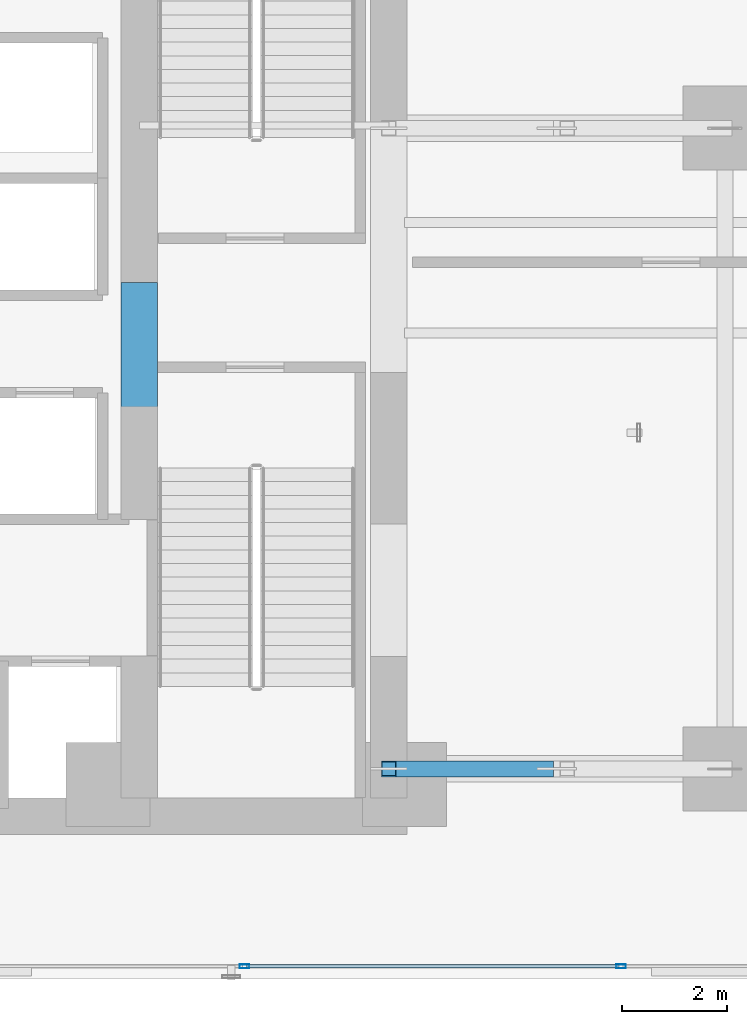
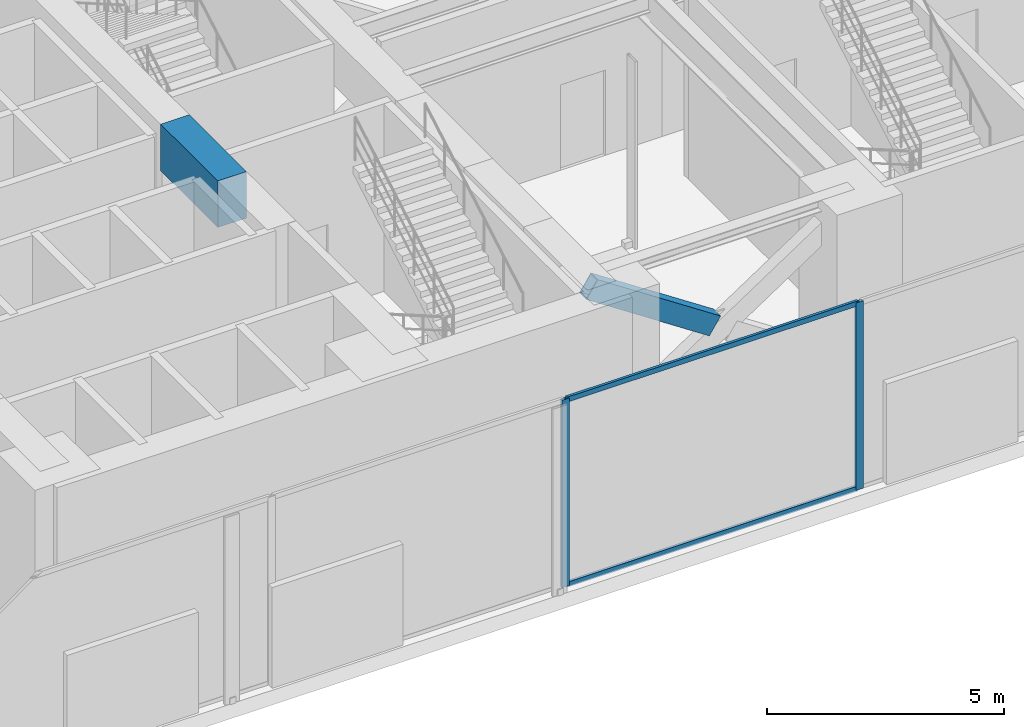
# One storey, part 5 of 36: 5 members, 1 beam, 1 element without a shape of its own.
"""IFC4 building model written with IfcOpenShell, lengths in metres."""

import ifcopenshell
import ifcopenshell.guid

model = None  # the IFC model being written
_history = None  # IfcOwnerHistory: only IFC2X3 demands one
_inside = {}  # id of a spatial element -> (the spatial element, [elements in it])
_under = {}  # id of a project, library or spatial element -> (it, [spatial elements below it])
_declared = {}  # id of a project -> (the project, [libraries it declares])
_typed = {}  # id of a type object -> (the type object, [elements of that type])
_made_of = {}  # id of a material, layer set ... -> (it, [elements and type objects made of it])


def new_model(schema):
    """Start an empty IFC model of exactly this schema.

    Asked for "IFC4X3", IfcOpenShell would pick the latest addendum, in which some entities
    have other attributes; the version numbers below select the first issue.
    IFC2X3 requires an IfcOwnerHistory on every rooted entity: one is made here for all.
    """
    global model, _history
    if schema == "IFC4X3":
        model = ifcopenshell.file(schema_version=(4, 3, 0, 0))
    else:
        model = ifcopenshell.file(schema=schema)
    _inside.clear()
    _under.clear()
    _declared.clear()
    _typed.clear()
    _made_of.clear()
    _history = None
    if model.schema == "IFC2X3":
        org = make("IfcOrganization", Name="unknown")
        user = make(
            "IfcPersonAndOrganization",
            ThePerson=make("IfcPerson", FamilyName="unknown"),
            TheOrganization=org,
        )
        app = make(
            "IfcApplication",
            ApplicationDeveloper=org,
            Version="unknown",
            ApplicationFullName="unknown",
            ApplicationIdentifier="unknown",
        )
        _history = make(
            "IfcOwnerHistory",
            OwningUser=user,
            OwningApplication=app,
            ChangeAction="ADDED",
            CreationDate=0,
        )
    return model


def make(cls, **values):
    """One entity of the class cls with the attributes given. An attribute that is None is left unset."""
    return model.create_entity(
        cls, **{name: value for name, value in values.items() if value is not None}
    )


def rooted(cls, **values):
    """An entity with a GlobalId (a new one), such as an element, a storey or a relation."""
    return make(cls, GlobalId=ifcopenshell.guid.new(), OwnerHistory=_history, **values)


def si_unit(unit_type, name, prefix=None):
    """IfcSIUnit, for example si_unit("LENGTHUNIT", "METRE", prefix="MILLI")."""
    return make("IfcSIUnit", UnitType=unit_type, Prefix=prefix, Name=name)


def assignment(units):
    """IfcUnitAssignment: the units of a project."""
    return None if units is None else make("IfcUnitAssignment", Units=units)


def point(xyz):
    """IfcCartesianPoint."""
    return None if xyz is None else make("IfcCartesianPoint", Coordinates=xyz)


def direction(xyz):
    """IfcDirection."""
    return None if xyz is None else make("IfcDirection", DirectionRatios=xyz)


def frame(location, z_axis=None, x_axis=None):
    """IfcAxis2Placement3D, a coordinate frame: its origin and axes. An axis left out is left unset."""
    return make(
        "IfcAxis2Placement3D",
        Location=point(location),
        Axis=direction(z_axis),
        RefDirection=direction(x_axis),
    )


def frame_2d(location, x_axis=None):
    """IfcAxis2Placement2D, a coordinate frame in the plane: its origin and x axis."""
    return make(
        "IfcAxis2Placement2D", Location=point(location), RefDirection=direction(x_axis)
    )


def origin():
    """The frame at (0, 0, 0) with its axes left unset."""
    return frame((0.0, 0.0, 0.0))


def origin_with_axes():
    """The frame at (0, 0, 0) with the z axis (0, 0, 1) and the x axis (1, 0, 0) written out."""
    return frame((0.0, 0.0, 0.0), z_axis=(0.0, 0.0, 1.0), x_axis=(1.0, 0.0, 0.0))


def origin_2d():
    """The frame at (0, 0) in the plane with its x axis left unset."""
    return frame_2d((0.0, 0.0))


def place(relative_to, where):
    """IfcLocalPlacement: puts the frame where relative to a parent placement (None: the world)."""
    return make(
        "IfcLocalPlacement", PlacementRelTo=relative_to, RelativePlacement=where
    )


def context(
    kind, dimensions, precision=None, world=None, true_north=None, identifier=None
):
    """IfcGeometricRepresentationContext, for example the 3D "Model" context."""
    return make(
        "IfcGeometricRepresentationContext",
        ContextIdentifier=identifier,
        ContextType=kind,
        CoordinateSpaceDimension=dimensions,
        Precision=precision,
        WorldCoordinateSystem=world,
        TrueNorth=true_north,
    )


def subcontext(parent, identifier, kind, view, scale=None):
    """IfcGeometricRepresentationSubContext, for example "Body" below "Model"."""
    return make(
        "IfcGeometricRepresentationSubContext",
        ContextIdentifier=identifier,
        ContextType=kind,
        ParentContext=parent,
        TargetScale=scale,
        TargetView=view,
    )


def project(units=None, contexts=None):
    """IfcProject with its units and contexts."""
    return rooted(
        "IfcProject",
        Name="project",
        RepresentationContexts=contexts,
        UnitsInContext=assignment(units),
    )


def spatial(cls, under=None, at=None, **own):
    """A site, building, storey or space (cls), placed at a placement, below another one or the project."""
    s = rooted(cls, ObjectPlacement=at, **own)
    if under is not None:
        _under.setdefault(under.id(), (under, []))[1].append(s)
    return s


def profile(cls, at=None, kind="AREA", **sizes):
    """A parametric profile (cls). Its sizes go by their IFC names, for example OverallWidth=200.0."""
    return make(cls, ProfileType=kind, Position=at, **sizes)


def rectangle(**sizes):
    """IfcRectangleProfileDef."""
    return profile("IfcRectangleProfileDef", **sizes)


def hollow_rectangle(**sizes):
    """IfcRectangleHollowProfileDef."""
    return profile("IfcRectangleHollowProfileDef", **sizes)


def extrude(swept, where, along, depth):
    """IfcExtrudedAreaSolid: the profile swept, set in the frame where, extruded along a direction by depth."""
    return make(
        "IfcExtrudedAreaSolid",
        SweptArea=swept,
        Position=where,
        ExtrudedDirection=direction(along),
        Depth=depth,
    )


def shape(context_of_items, identifier, shape_type, items):
    """IfcShapeRepresentation: the items that make up one representation, for example the "Body"."""
    return make(
        "IfcShapeRepresentation",
        ContextOfItems=context_of_items,
        RepresentationIdentifier=identifier,
        RepresentationType=shape_type,
        Items=items,
    )


def source(mapping_origin, context_of_items, identifier, shape_type, items):
    """IfcRepresentationMap: a shape defined once, which mapped items show again and again."""
    return make(
        "IfcRepresentationMap",
        MappingOrigin=mapping_origin,
        MappedRepresentation=shape(context_of_items, identifier, shape_type, items),
    )


def transform(
    local_origin,
    x_axis=None,
    y_axis=None,
    z_axis=None,
    scale=None,
    scale2=None,
    scale3=None,
    uniform=True,
):
    """IfcCartesianTransformationOperator3D, or its non-uniform kind. x_axis, y_axis, z_axis: its Axis1, 2, 3."""
    if uniform:
        return make(
            "IfcCartesianTransformationOperator3D",
            Axis1=direction(x_axis),
            Axis2=direction(y_axis),
            LocalOrigin=point(local_origin),
            Scale=scale,
            Axis3=direction(z_axis),
        )
    return make(
        "IfcCartesianTransformationOperator3DnonUniform",
        Axis1=direction(x_axis),
        Axis2=direction(y_axis),
        LocalOrigin=point(local_origin),
        Scale=scale,
        Axis3=direction(z_axis),
        Scale2=scale2,
        Scale3=scale3,
    )


def mapped(mapping_source, mapping_target):
    """IfcMappedItem: shows the shape of a source again, moved by a transform."""
    return make(
        "IfcMappedItem", MappingSource=mapping_source, MappingTarget=mapping_target
    )


def material(Name=None, Category=None):
    """IfcMaterial."""
    return make("IfcMaterial", Name=Name, Category=Category)


def layer(
    of_material, thickness, ventilated=None, Name=None, Category=None, Priority=None
):
    """IfcMaterialLayer: one layer of a wall or slab, of a material (None: an air gap)."""
    return make(
        "IfcMaterialLayer",
        Material=of_material,
        LayerThickness=thickness,
        IsVentilated=ventilated,
        Name=Name,
        Category=Category,
        Priority=Priority,
    )


def layer_set(layers, Name=None):
    """IfcMaterialLayerSet."""
    return make("IfcMaterialLayerSet", MaterialLayers=layers, LayerSetName=Name)


def material_profile(
    of_material, cross_section, Name=None, Category=None, Priority=None
):
    """IfcMaterialProfile: a cross section and its material."""
    return make(
        "IfcMaterialProfile",
        Name=Name,
        Material=of_material,
        Profile=cross_section,
        Priority=Priority,
        Category=Category,
    )


def profile_set(profiles, Name=None, composite=None):
    """IfcMaterialProfileSet."""
    return make(
        "IfcMaterialProfileSet",
        Name=Name,
        MaterialProfiles=profiles,
        CompositeProfile=composite,
    )


def made_of(thing, what):
    """Note that an element or type object is made of a material, layer set ...; save() writes the relation."""
    if what is not None:
        _made_of.setdefault(what.id(), (what, []))[1].append(thing)
    return thing


def type_object(cls, material=None, **own):
    """A type object (cls), such as IfcWallType, which elements share."""
    return made_of(rooted(cls, **own), material)


def element(
    cls,
    number,
    at=None,
    inside=None,
    cuts=None,
    type_object=None,
    material=None,
    context=None,
    identifier="Body",
    shape_type=None,
    held_by="IfcProductDefinitionShape",
    body=None,
    shapes=None,
    **own,
):
    """One element of the class cls, such as IfcWall. Its Tag is "e" and its number.

    at: its placement. inside: the storey or other place that contains it. cuts: it is an
    opening in that element (IfcRelVoidsElement). A single representation is given by context,
    identifier, shape_type and body (its items); several are given by shapes. held_by: the class
    of the entity that holds the representations. save() writes the other relations.
    """
    e = rooted(cls, Tag="e%d" % number, ObjectPlacement=at, **own)
    if body is not None:
        shapes = [shape(context, identifier, shape_type, body)]
    if shapes is not None:
        e.Representation = make(held_by, Representations=shapes)
    if inside is not None:
        _inside.setdefault(inside.id(), (inside, []))[1].append(e)
    if cuts is not None:
        rooted(
            "IfcRelVoidsElement", RelatingBuildingElement=cuts, RelatedOpeningElement=e
        )
    if type_object is not None:
        _typed.setdefault(type_object.id(), (type_object, []))[1].append(e)
    return made_of(e, material)


def aggregate(whole, parts):
    """IfcRelAggregates: a whole, such as a stair, and the parts it consists of."""
    return rooted("IfcRelAggregates", RelatingObject=whole, RelatedObjects=parts)


def save(model, path):
    """Write the relations noted so far, then the file.

    IfcRelAggregates (storeys below a building ...), IfcRelContainedInSpatialStructure (elements
    in a storey), IfcRelDefinesByType, IfcRelAssociatesMaterial and IfcRelDeclares: one each for
    every whole, place, type object, material and project.
    """
    for whole, parts in _under.values():
        aggregate(whole, parts)
    for where, things in _inside.values():
        rooted(
            "IfcRelContainedInSpatialStructure",
            RelatedElements=things,
            RelatingStructure=where,
        )
    for kind, things in _typed.values():
        rooted("IfcRelDefinesByType", RelatedObjects=things, RelatingType=kind)
    for what, things in _made_of.values():
        rooted("IfcRelAssociatesMaterial", RelatedObjects=things, RelatingMaterial=what)
    for by, libraries in _declared.values():
        rooted("IfcRelDeclares", RelatingContext=by, RelatedDefinitions=libraries)
    model.write(path)


model = new_model("IFC4")

# Units and contexts
model_context = context("Model", 3, precision=1e-05, world=origin(), true_north=direction((0.0, 1.0)))
body_context = subcontext(model_context, "Body", "Model", "MODEL_VIEW")
ifc_project = project(units=[si_unit("LENGTHUNIT", "METRE"), si_unit("AREAUNIT", "SQUARE_METRE"), si_unit("VOLUMEUNIT", "CUBIC_METRE"), si_unit("PLANEANGLEUNIT", "RADIAN"), si_unit("MASSUNIT", "GRAM", prefix="KILO")], contexts=[model_context])

# Site, building, storey
site_placement = place(None, origin())
site = spatial("IfcSite", under=ifc_project, at=site_placement, CompositionType="ELEMENT")
building_placement = place(site_placement, origin())
building = spatial("IfcBuilding", under=site, at=building_placement, Name="Kolvaren Waterfront Exchange", CompositionType="ELEMENT")
storey_placement = place(building_placement, frame((0.0, 0.0, 82.800048828125)))
storey = spatial("IfcBuildingStorey", under=building, at=storey_placement, Name="L21", CompositionType="ELEMENT", Elevation=82.800048828125)

# Member
ifc_material_1 = material(Name="Steel S460", Category="steel")
ifc_material_profile_1 = material_profile(ifc_material_1, hollow_rectangle(XDim=0.300048828125, YDim=0.5, WallThickness=0.02001953125, at=origin_2d()), Name="RHS500x300x20")
ifc_profile_set_1 = profile_set([ifc_material_profile_1], Name="Steel S460")
member_type_1 = type_object("IfcMemberType", Name="STR-BR-RHS500", PredefinedType="BRACE", material=ifc_profile_set_1)
member_1_placement = place(storey_placement, frame((23.7998046875, 5.199951171875, 2.50244140625), z_axis=(-0.833623048925, 0.0, 0.552333787035), x_axis=(0.0, -1.0, 0.0)))
element("IfcMember", 1, at=member_1_placement, inside=storey, type_object=member_type_1, Name="L21 outrigger split diagonal OA1.2B", PredefinedType="BRACE", context=body_context, shape_type="SweptSolid", body=[
    extrude(hollow_rectangle(XDim=0.300048828125, YDim=0.5, WallThickness=0.02001953125, at=origin_2d()), origin(), (0.0, 0.0, 1.0), 3.598388671875),
])

# Beam
ifc_material_2 = material(Name="Concrete C70/85", Category="concrete")
ifc_material_profile_2 = material_profile(ifc_material_2, rectangle(XDim=0.699951171875, YDim=1.199951171875, at=origin_2d()), Name="RC-CB-1200x700")
ifc_profile_set_2 = profile_set([ifc_material_profile_2], Name="Concrete C70/85")
beam_type = type_object("IfcBeamType", Name="STR-CB-1200", PredefinedType="SPANDREL", material=ifc_profile_set_2)
beam_placement = place(storey_placement, frame((16.050048828125, 12.0400390625, 4.239990234375), z_axis=(0.0, 1.0, 0.0), x_axis=(-1.0, 0.0, 0.0)))
element("IfcBeam", 2, at=beam_placement, inside=storey, type_object=beam_type, Name="L21 core coupling beam 6", PredefinedType="SPANDREL", context=body_context, shape_type="SweptSolid", body=[
    extrude(rectangle(XDim=0.699951171875, YDim=1.199951171875, at=origin_2d()), origin(), (0.0, 0.0, 1.0), 2.419921875),
])

# Curtain wall, members
ifc_material_3 = material(Name="Anodised dark bronze spandrel aluminium", Category="aluminium")
ifc_layer = layer(ifc_material_3, 0.219970703125, Name="Anodised dark bronze spandrel aluminium")
ifc_layer_set = layer_set([ifc_layer], Name="Anodised dark bronze spandrel aluminium")
curtain_wall_type = type_object("IfcCurtainWallType", Name="ARC-CW-SYS6", PredefinedType="USERDEFINED", material=ifc_layer_set)
curtain_wall_placement = place(storey_placement, origin())
curtain_wall = element("IfcCurtainWall", 3, at=curtain_wall_placement, inside=storey, type_object=curtain_wall_type, Name="L21 stick curtain wall CW6 (CW-L21-S)", ObjectType="STICK CURTAIN WALL", PredefinedType="USERDEFINED")
ifc_material_4 = material(Name="Anodised bronze aluminium 6063-T6", Category="aluminium")
ifc_material_profile_3 = material_profile(ifc_material_4, hollow_rectangle(XDim=0.074951171875, YDim=0.179931640625, WallThickness=0.00439453125, at=origin_2d()), Name="ALU-MUL-180x75x4.5")
ifc_profile_set_3 = profile_set([ifc_material_profile_3], Name="Anodised bronze aluminium 6063-T6")
member_type_2 = type_object("IfcMemberType", Name="ARC-CWM-180", PredefinedType="MULLION", material=ifc_profile_set_3)
shared_shape_1 = source(origin_with_axes(), body_context, "Body", "SweptSolid", [
    extrude(hollow_rectangle(XDim=0.074951171875, YDim=0.179931640625, WallThickness=0.00439453125, at=origin_2d()), origin(), (0.0, 0.0, 1.0), 4.83984375),
])
member_2_placement = place(storey_placement, frame((18.050048828125, 1.43994140625, 0.0), z_axis=(0.0, 0.0, 1.0), x_axis=(0.0, 1.0, 0.0)))
member_2 = element("IfcMember", 4, at=member_2_placement, type_object=member_type_2, Name="CW6 mullion 3", PredefinedType="MULLION", context=body_context, shape_type="MappedRepresentation", body=[
    mapped(shared_shape_1, transform((0.0, 0.0, 0.0), x_axis=(1.0, 0.0, 0.0), y_axis=(0.0, 1.0, 0.0), z_axis=(0.0, 0.0, 1.0), scale=1.0)),
])
member_3_placement = place(storey_placement, frame((25.22509765625, 1.43994140625, 0.0), z_axis=(0.0, 0.0, 1.0), x_axis=(0.0, 1.0, 0.0)))
member_3 = element("IfcMember", 5, at=member_3_placement, type_object=member_type_2, Name="CW6 mullion 4", PredefinedType="MULLION", context=body_context, shape_type="MappedRepresentation", body=[
    mapped(shared_shape_1, transform((0.0, 0.0, 0.0), x_axis=(1.0, 0.0, 0.0), y_axis=(0.0, 1.0, 0.0), z_axis=(0.0, 0.0, 1.0), scale=1.0)),
])
ifc_material_profile_4 = material_profile(ifc_material_4, hollow_rectangle(XDim=0.06494140625, YDim=0.1298828125, WallThickness=0.00390625, at=origin_2d()), Name="ALU-TRN-130x65x4")
ifc_profile_set_4 = profile_set([ifc_material_profile_4], Name="Anodised bronze aluminium 6063-T6")
member_type_3 = type_object("IfcMemberType", Name="ARC-CWT-130", PredefinedType="USERDEFINED", material=ifc_profile_set_4)
shared_shape_2 = source(origin_with_axes(), body_context, "Body", "SweptSolid", [
    extrude(hollow_rectangle(XDim=0.06494140625, YDim=0.1298828125, WallThickness=0.00390625, at=origin_2d()), origin(), (0.0, 0.0, 1.0), 7.10009765625),
])
member_4_placement = place(storey_placement, frame((18.08740234375, 1.43994140625, 0.032470703125), z_axis=(1.0, 0.0, 0.0), x_axis=(0.0, 1.0, 0.0)))
member_4 = element("IfcMember", 6, at=member_4_placement, type_object=member_type_3, Name="CW6 transom 3.1", ObjectType="TRANSOM", PredefinedType="USERDEFINED", context=body_context, shape_type="MappedRepresentation", body=[
    mapped(shared_shape_2, transform((0.0, 0.0, 0.0), x_axis=(1.0, 0.0, 0.0), y_axis=(0.0, 1.0, 0.0), z_axis=(0.0, 0.0, 1.0), scale=1.0)),
])
member_5_placement = place(storey_placement, frame((18.08740234375, 1.43994140625, 4.807373046875), z_axis=(1.0, 0.0, 0.0), x_axis=(0.0, 1.0, 0.0)))
member_5 = element("IfcMember", 7, at=member_5_placement, type_object=member_type_3, Name="CW6 transom 3.2", ObjectType="TRANSOM", PredefinedType="USERDEFINED", context=body_context, shape_type="MappedRepresentation", body=[
    mapped(shared_shape_2, transform((0.0, 0.0, 0.0), x_axis=(1.0, 0.0, 0.0), y_axis=(0.0, 1.0, 0.0), z_axis=(0.0, 0.0, 1.0), scale=1.0)),
])
aggregate(curtain_wall, [member_2, member_3, member_4, member_5])

save(model, "model.ifc")
